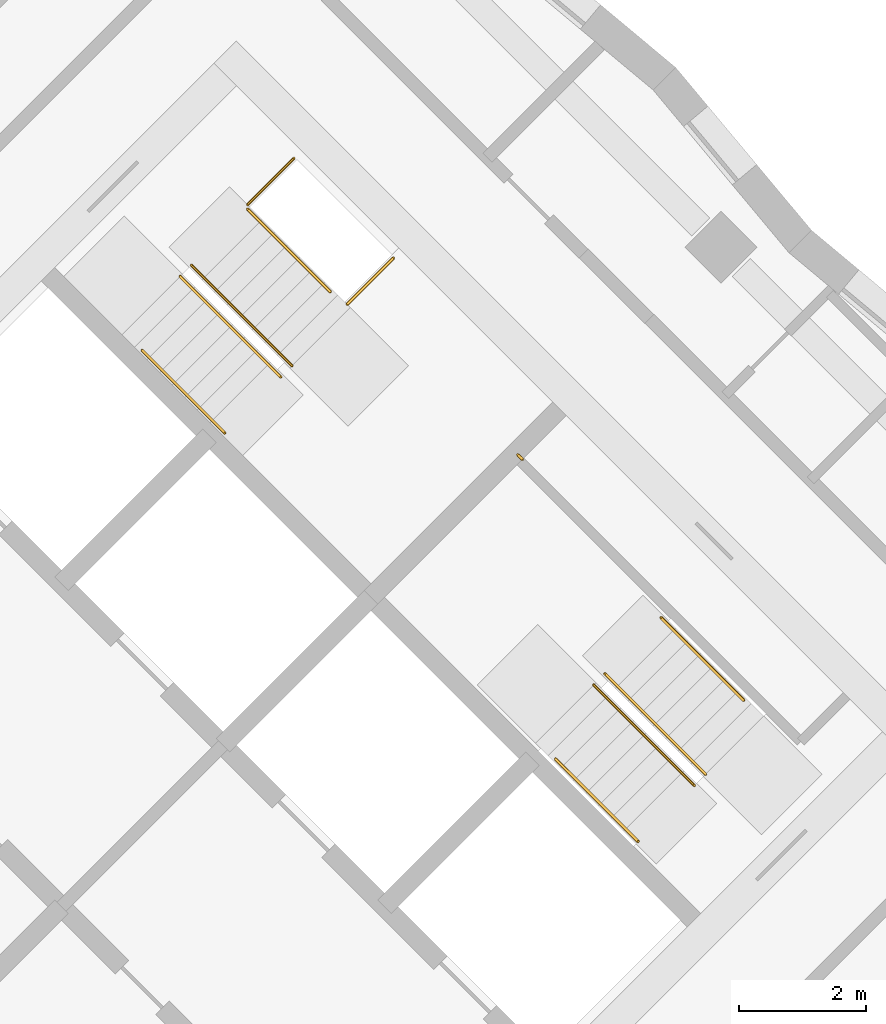
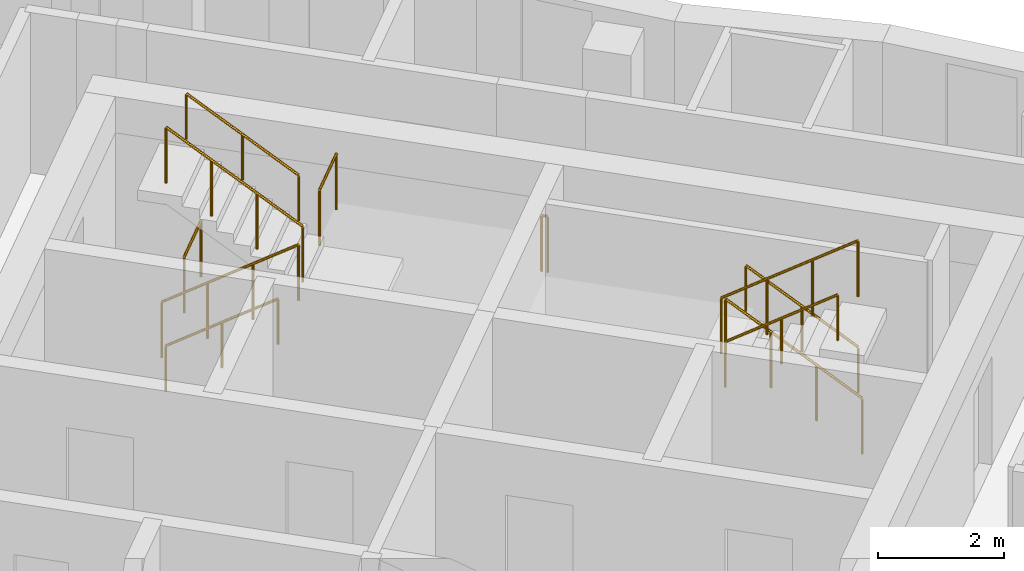
# One storey, part 11 of 11: 11 railings.
"""IFC4 building model written with IfcOpenShell, lengths in metres."""

from ifc_helpers import new_model, si_unit, direction, frame, origin, origin_2d, place, context, subcontext, project, spatial, circle, extrude, material, type_object, element, save


model = new_model("IFC4")

# Units and contexts
model_context = context("Model", 3, precision=1e-05, world=origin(), true_north=direction((0.0, 1.0)))
body_context = subcontext(model_context, "Body", "Model", "MODEL_VIEW")
ifc_project = project(units=[si_unit("LENGTHUNIT", "METRE"), si_unit("AREAUNIT", "SQUARE_METRE"), si_unit("VOLUMEUNIT", "CUBIC_METRE"), si_unit("PLANEANGLEUNIT", "RADIAN"), si_unit("MASSUNIT", "GRAM", prefix="KILO")], contexts=[model_context])

# Site, building, storey
site_placement = place(None, origin())
site = spatial("IfcSite", under=ifc_project, at=site_placement, CompositionType="ELEMENT")
building_placement = place(site_placement, origin())
building = spatial("IfcBuilding", under=site, at=building_placement, Name="Windrow Commons", CompositionType="ELEMENT")
storey_placement = place(building_placement, frame((0.0, 0.0, 189.6)))
storey = spatial("IfcBuildingStorey", under=building, at=storey_placement, Name="L51", CompositionType="ELEMENT", Elevation=189.6)

# Railings
ifc_material_1 = material(Name="Steel S355", Category="steel")
railing_type_1 = type_object("IfcRailingType", Name="Core stair guard 1100", PredefinedType="GUARDRAIL", material=ifc_material_1)
railing_1_placement = place(storey_placement, frame((85.9529, 56.2669, 0.1889)))
element("IfcRailing", 1, at=railing_1_placement, inside=storey, type_object=railing_type_1, Name="L51 ST-B1 stair guard 1", PredefinedType="GUARDRAIL", context=body_context, shape_type="SweptSolid", body=[
    extrude(circle(Radius=0.024, at=origin_2d()), frame((0.0, 0.0, 1.076), z_axis=(0.5861914914, -0.5861914914, 0.5592486664), x_axis=(0.7071067812, 0.7071067812, 0.0)), (0.0, 0.0, 1.0), 2.702),
    extrude(circle(Radius=0.021, at=origin_2d()), origin(), (0.0, 0.0, 1.0), 1.052),
    extrude(circle(Radius=0.021, at=origin_2d()), frame((0.528, -0.528, 0.5037)), (0.0, 0.0, 1.0), 1.052),
    extrude(circle(Radius=0.021, at=origin_2d()), frame((1.0559, -1.0559, 1.0074)), (0.0, 0.0, 1.0), 1.052),
    extrude(circle(Radius=0.021, at=origin_2d()), frame((1.5839, -1.5839, 1.5111)), (0.0, 0.0, 1.0), 1.052),
])
railing_2_placement = place(storey_placement, frame((87.7136, 54.8597, 1.8889)))
element("IfcRailing", 2, at=railing_2_placement, inside=storey, type_object=railing_type_1, Name="L51 ST-B1 stair guard 2", PredefinedType="GUARDRAIL", context=body_context, shape_type="SweptSolid", body=[
    extrude(circle(Radius=0.024, at=origin_2d()), frame((0.0, 0.0, 1.076), z_axis=(-0.5862030657, 0.5862030657, 0.5592244018), x_axis=(-0.7071067812, -0.7071067812, 0.0)), (0.0, 0.0, 1.0), 2.7021),
    extrude(circle(Radius=0.021, at=origin_2d()), origin(), (0.0, 0.0, 1.0), 1.052),
    extrude(circle(Radius=0.021, at=origin_2d()), frame((-0.528, 0.528, 0.5037)), (0.0, 0.0, 1.0), 1.052),
    extrude(circle(Radius=0.021, at=origin_2d()), frame((-1.056, 1.056, 1.0074)), (0.0, 0.0, 1.0), 1.052),
    extrude(circle(Radius=0.021, at=origin_2d()), frame((-1.584, 1.584, 1.5111)), (0.0, 0.0, 1.0), 1.052),
])
railing_3_placement = place(storey_placement, frame((87.0135, 57.3982, 0.0)))
element("IfcRailing", 3, at=railing_3_placement, inside=storey, type_object=railing_type_1, Name="L51 ST-B1 stair guard 3", PredefinedType="GUARDRAIL", context=body_context, shape_type="SweptSolid", body=[
    extrude(circle(Radius=0.024, at=origin_2d()), frame((0.0, 0.0, 1.076), z_axis=(0.7070582378, 0.7071553212, 0.0), x_axis=(-0.7071553212, 0.7070582378, 0.0)), (0.0, 0.0, 1.0), 1.03),
    extrude(circle(Radius=0.021, at=origin_2d()), origin(), (0.0, 0.0, 1.0), 1.052),
    extrude(circle(Radius=0.021, at=origin_2d()), frame((0.7283, 0.7284, 0.0)), (0.0, 0.0, 1.0), 1.052),
])
railing_4_placement = place(storey_placement, frame((88.5833, 55.8285, 1.7)))
element("IfcRailing", 4, at=railing_4_placement, inside=storey, type_object=railing_type_1, Name="L51 ST-B1 stair guard 4", PredefinedType="GUARDRAIL", context=body_context, shape_type="SweptSolid", body=[
    extrude(circle(Radius=0.024, at=origin_2d()), frame((0.0, 0.0, 1.076), z_axis=(0.7071067812, 0.7071067812, 0.0), x_axis=(-0.7071067812, 0.7071067812, 0.0)), (0.0, 0.0, 1.0), 1.03),
    extrude(circle(Radius=0.021, at=origin_2d()), origin(), (0.0, 0.0, 1.0), 1.052),
    extrude(circle(Radius=0.021, at=origin_2d()), frame((0.7283, 0.7283, 0.0)), (0.0, 0.0, 1.0), 1.052),
])
railing_5_placement = place(storey_placement, frame((94.2296, 48.4215, 0.1889)))
element("IfcRailing", 5, at=railing_5_placement, inside=storey, type_object=railing_type_1, Name="L51 ST-B2 stair guard 1", PredefinedType="GUARDRAIL", context=body_context, shape_type="SweptSolid", body=[
    extrude(circle(Radius=0.024, at=origin_2d()), frame((0.0, 0.0, 1.076), z_axis=(-0.5862157828, 0.5861787742, 0.5592365337), x_axis=(-0.7070844598, -0.7071291018, 0.0)), (0.0, 0.0, 1.0), 2.7021),
    extrude(circle(Radius=0.021, at=origin_2d()), origin(), (0.0, 0.0, 1.0), 1.052),
    extrude(circle(Radius=0.021, at=origin_2d()), frame((-0.528, 0.528, 0.5037)), (0.0, 0.0, 1.0), 1.052),
    extrude(circle(Radius=0.021, at=origin_2d()), frame((-1.056, 1.0559, 1.0074)), (0.0, 0.0, 1.0), 1.052),
    extrude(circle(Radius=0.021, at=origin_2d()), frame((-1.584, 1.5839, 1.5111)), (0.0, 0.0, 1.0), 1.052),
])
railing_6_placement = place(storey_placement, frame((92.4689, 49.8287, 1.8889)))
element("IfcRailing", 6, at=railing_6_placement, inside=storey, type_object=railing_type_1, Name="L51 ST-B2 stair guard 2", PredefinedType="GUARDRAIL", context=body_context, shape_type="SweptSolid", body=[
    extrude(circle(Radius=0.024, at=origin_2d()), frame((0.0, 0.0, 1.076), z_axis=(0.5861787742, -0.5862157828, 0.5592365337), x_axis=(0.7071291018, 0.7070844598, 0.0)), (0.0, 0.0, 1.0), 2.7021),
    extrude(circle(Radius=0.021, at=origin_2d()), origin(), (0.0, 0.0, 1.0), 1.052),
    extrude(circle(Radius=0.021, at=origin_2d()), frame((0.528, -0.528, 0.5037)), (0.0, 0.0, 1.0), 1.052),
    extrude(circle(Radius=0.021, at=origin_2d()), frame((1.0559, -1.056, 1.0074)), (0.0, 0.0, 1.0), 1.052),
    extrude(circle(Radius=0.021, at=origin_2d()), frame((1.5839, -1.584, 1.5111)), (0.0, 0.0, 1.0), 1.052),
])
railing_7_placement = place(storey_placement, frame((91.3446, 53.3854, 1.7)))
element("IfcRailing", 7, at=railing_7_placement, inside=storey, type_object=railing_type_1, Name="L51 ST-B2 stair guard 3", PredefinedType="GUARDRAIL", context=body_context, shape_type="SweptSolid", body=[
    extrude(circle(Radius=0.024, at=origin_2d()), frame((0.0, 0.0, 1.076), z_axis=(-0.7076063266, 0.7066068826, 0.0), x_axis=(-0.7066068826, -0.7076063266, 0.0)), (0.0, 0.0, 1.0), 0.1001),
    extrude(circle(Radius=0.021, at=origin_2d()), origin(), (0.0, 0.0, 1.0), 1.052),
    extrude(circle(Radius=0.021, at=origin_2d()), frame((-0.0708, 0.0707, 0.0)), (0.0, 0.0, 1.0), 1.052),
])
ifc_material_2 = material(Name="Steel S355", Category="steel")
railing_type_2 = type_object("IfcRailingType", Name="Core stair handrail 900", PredefinedType="HANDRAIL", material=ifc_material_2)
railing_8_placement = place(storey_placement, frame((85.3518, 55.1001, 0.4587)))
element("IfcRailing", 8, at=railing_8_placement, inside=storey, type_object=railing_type_2, Name="L51 ST-B1 stair handrail 1", PredefinedType="HANDRAIL", context=body_context, shape_type="SweptSolid", body=[
    extrude(circle(Radius=0.024, at=origin_2d()), frame((0.0, 0.0, 0.876), z_axis=(0.586206706, -0.5861616513, 0.5592639952), x_axis=(0.7070796062, 0.7071339551, 0.0)), (0.0, 0.0, 1.0), 2.2195),
    extrude(circle(Radius=0.021, at=origin_2d()), origin(), (0.0, 0.0, 1.0), 0.852),
    extrude(circle(Radius=0.021, at=origin_2d()), frame((0.6506, -0.6505, 0.6207)), (0.0, 0.0, 1.0), 0.852),
    extrude(circle(Radius=0.021, at=origin_2d()), frame((1.3011, -1.301, 1.2413)), (0.0, 0.0, 1.0), 0.852),
])
railing_9_placement = place(storey_placement, frame((88.3146, 56.0265, 2.1587)))
element("IfcRailing", 9, at=railing_9_placement, inside=storey, type_object=railing_type_2, Name="L51 ST-B1 stair handrail 2", PredefinedType="HANDRAIL", context=body_context, shape_type="SweptSolid", body=[
    extrude(circle(Radius=0.024, at=origin_2d()), frame((0.0, 0.0, 0.876), z_axis=(-0.586206706, 0.5861616513, 0.5592639952), x_axis=(-0.7070796062, -0.7071339551, 0.0)), (0.0, 0.0, 1.0), 2.2195),
    extrude(circle(Radius=0.021, at=origin_2d()), origin(), (0.0, 0.0, 1.0), 0.852),
    extrude(circle(Radius=0.021, at=origin_2d()), frame((-0.6506, 0.6505, 0.6206)), (0.0, 0.0, 1.0), 0.852),
    extrude(circle(Radius=0.021, at=origin_2d()), frame((-1.3011, 1.301, 1.2413)), (0.0, 0.0, 1.0), 0.852),
])
railing_10_placement = place(storey_placement, frame((94.8306, 49.5883, 0.4587)))
element("IfcRailing", 10, at=railing_10_placement, inside=storey, type_object=railing_type_2, Name="L51 ST-B2 stair handrail 1", PredefinedType="HANDRAIL", context=body_context, shape_type="SweptSolid", body=[
    extrude(circle(Radius=0.024, at=origin_2d()), frame((0.0, 0.0, 0.876), z_axis=(-0.586206706, 0.5861616513, 0.5592639952), x_axis=(-0.7070796062, -0.7071339551, 0.0)), (0.0, 0.0, 1.0), 2.2195),
    extrude(circle(Radius=0.021, at=origin_2d()), origin(), (0.0, 0.0, 1.0), 0.852),
    extrude(circle(Radius=0.021, at=origin_2d()), frame((-0.6506, 0.6505, 0.6207)), (0.0, 0.0, 1.0), 0.852),
    extrude(circle(Radius=0.021, at=origin_2d()), frame((-1.3011, 1.301, 1.2413)), (0.0, 0.0, 1.0), 0.852),
])
railing_11_placement = place(storey_placement, frame((91.8678, 48.6619, 2.1587)))
element("IfcRailing", 11, at=railing_11_placement, inside=storey, type_object=railing_type_2, Name="L51 ST-B2 stair handrail 2", PredefinedType="HANDRAIL", context=body_context, shape_type="SweptSolid", body=[
    extrude(circle(Radius=0.024, at=origin_2d()), frame((0.0, 0.0, 0.876), z_axis=(0.586206706, -0.5861616513, 0.5592639952), x_axis=(0.7070796062, 0.7071339551, 0.0)), (0.0, 0.0, 1.0), 2.2195),
    extrude(circle(Radius=0.021, at=origin_2d()), origin(), (0.0, 0.0, 1.0), 0.852),
    extrude(circle(Radius=0.021, at=origin_2d()), frame((0.6505, -0.6505, 0.6206)), (0.0, 0.0, 1.0), 0.852),
    extrude(circle(Radius=0.021, at=origin_2d()), frame((1.3011, -1.301, 1.2413)), (0.0, 0.0, 1.0), 0.852),
])

save(model, "model.ifc")
